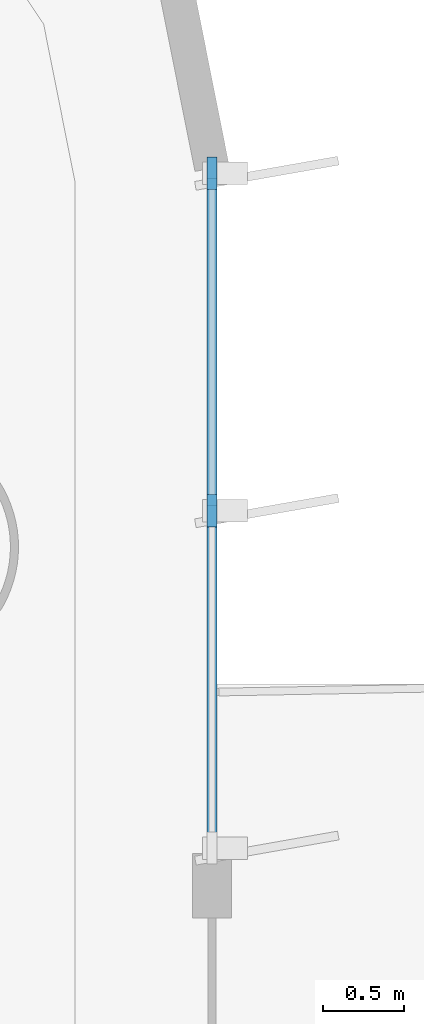
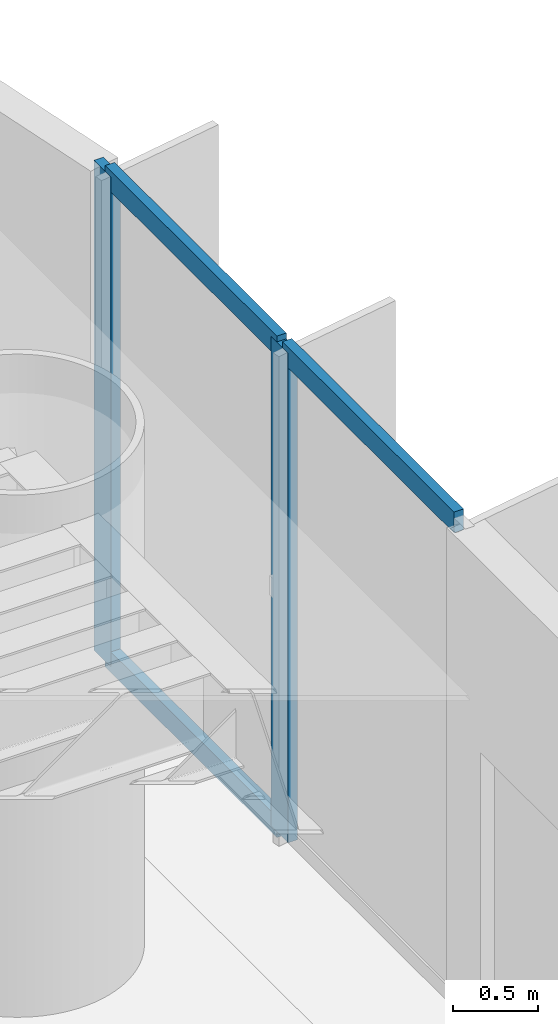
# One storey, part 6 of 17: 5 members, 1 element without a shape of its own.
"""IFC4 building model written with IfcOpenShell, lengths in metres."""

import ifcopenshell
import ifcopenshell.guid

model = None  # the IFC model being written
_history = None  # IfcOwnerHistory: only IFC2X3 demands one
_inside = {}  # id of a spatial element -> (the spatial element, [elements in it])
_under = {}  # id of a project, library or spatial element -> (it, [spatial elements below it])
_declared = {}  # id of a project -> (the project, [libraries it declares])
_typed = {}  # id of a type object -> (the type object, [elements of that type])
_made_of = {}  # id of a material, layer set ... -> (it, [elements and type objects made of it])


def new_model(schema):
    """Start an empty IFC model of exactly this schema.

    Asked for "IFC4X3", IfcOpenShell would pick the latest addendum, in which some entities
    have other attributes; the version numbers below select the first issue.
    IFC2X3 requires an IfcOwnerHistory on every rooted entity: one is made here for all.
    """
    global model, _history
    if schema == "IFC4X3":
        model = ifcopenshell.file(schema_version=(4, 3, 0, 0))
    else:
        model = ifcopenshell.file(schema=schema)
    _inside.clear()
    _under.clear()
    _declared.clear()
    _typed.clear()
    _made_of.clear()
    _history = None
    if model.schema == "IFC2X3":
        org = make("IfcOrganization", Name="unknown")
        user = make(
            "IfcPersonAndOrganization",
            ThePerson=make("IfcPerson", FamilyName="unknown"),
            TheOrganization=org,
        )
        app = make(
            "IfcApplication",
            ApplicationDeveloper=org,
            Version="unknown",
            ApplicationFullName="unknown",
            ApplicationIdentifier="unknown",
        )
        _history = make(
            "IfcOwnerHistory",
            OwningUser=user,
            OwningApplication=app,
            ChangeAction="ADDED",
            CreationDate=0,
        )
    return model


def make(cls, **values):
    """One entity of the class cls with the attributes given. An attribute that is None is left unset."""
    return model.create_entity(
        cls, **{name: value for name, value in values.items() if value is not None}
    )


def rooted(cls, **values):
    """An entity with a GlobalId (a new one), such as an element, a storey or a relation."""
    return make(cls, GlobalId=ifcopenshell.guid.new(), OwnerHistory=_history, **values)


def si_unit(unit_type, name, prefix=None):
    """IfcSIUnit, for example si_unit("LENGTHUNIT", "METRE", prefix="MILLI")."""
    return make("IfcSIUnit", UnitType=unit_type, Prefix=prefix, Name=name)


def assignment(units):
    """IfcUnitAssignment: the units of a project."""
    return None if units is None else make("IfcUnitAssignment", Units=units)


def point(xyz):
    """IfcCartesianPoint."""
    return None if xyz is None else make("IfcCartesianPoint", Coordinates=xyz)


def direction(xyz):
    """IfcDirection."""
    return None if xyz is None else make("IfcDirection", DirectionRatios=xyz)


def frame(location, z_axis=None, x_axis=None):
    """IfcAxis2Placement3D, a coordinate frame: its origin and axes. An axis left out is left unset."""
    return make(
        "IfcAxis2Placement3D",
        Location=point(location),
        Axis=direction(z_axis),
        RefDirection=direction(x_axis),
    )


def frame_2d(location, x_axis=None):
    """IfcAxis2Placement2D, a coordinate frame in the plane: its origin and x axis."""
    return make(
        "IfcAxis2Placement2D", Location=point(location), RefDirection=direction(x_axis)
    )


def origin():
    """The frame at (0, 0, 0) with its axes left unset."""
    return frame((0.0, 0.0, 0.0))


def origin_2d():
    """The frame at (0, 0) in the plane with its x axis left unset."""
    return frame_2d((0.0, 0.0))


def place(relative_to, where):
    """IfcLocalPlacement: puts the frame where relative to a parent placement (None: the world)."""
    return make(
        "IfcLocalPlacement", PlacementRelTo=relative_to, RelativePlacement=where
    )


def context(
    kind, dimensions, precision=None, world=None, true_north=None, identifier=None
):
    """IfcGeometricRepresentationContext, for example the 3D "Model" context."""
    return make(
        "IfcGeometricRepresentationContext",
        ContextIdentifier=identifier,
        ContextType=kind,
        CoordinateSpaceDimension=dimensions,
        Precision=precision,
        WorldCoordinateSystem=world,
        TrueNorth=true_north,
    )


def subcontext(parent, identifier, kind, view, scale=None):
    """IfcGeometricRepresentationSubContext, for example "Body" below "Model"."""
    return make(
        "IfcGeometricRepresentationSubContext",
        ContextIdentifier=identifier,
        ContextType=kind,
        ParentContext=parent,
        TargetScale=scale,
        TargetView=view,
    )


def project(units=None, contexts=None):
    """IfcProject with its units and contexts."""
    return rooted(
        "IfcProject",
        Name="project",
        RepresentationContexts=contexts,
        UnitsInContext=assignment(units),
    )


def spatial(cls, under=None, at=None, **own):
    """A site, building, storey or space (cls), placed at a placement, below another one or the project."""
    s = rooted(cls, ObjectPlacement=at, **own)
    if under is not None:
        _under.setdefault(under.id(), (under, []))[1].append(s)
    return s


def profile(cls, at=None, kind="AREA", **sizes):
    """A parametric profile (cls). Its sizes go by their IFC names, for example OverallWidth=200.0."""
    return make(cls, ProfileType=kind, Position=at, **sizes)


def rectangle(**sizes):
    """IfcRectangleProfileDef."""
    return profile("IfcRectangleProfileDef", **sizes)


def extrude(swept, where, along, depth):
    """IfcExtrudedAreaSolid: the profile swept, set in the frame where, extruded along a direction by depth."""
    return make(
        "IfcExtrudedAreaSolid",
        SweptArea=swept,
        Position=where,
        ExtrudedDirection=direction(along),
        Depth=depth,
    )


def shape(context_of_items, identifier, shape_type, items):
    """IfcShapeRepresentation: the items that make up one representation, for example the "Body"."""
    return make(
        "IfcShapeRepresentation",
        ContextOfItems=context_of_items,
        RepresentationIdentifier=identifier,
        RepresentationType=shape_type,
        Items=items,
    )


def source(mapping_origin, context_of_items, identifier, shape_type, items):
    """IfcRepresentationMap: a shape defined once, which mapped items show again and again."""
    return make(
        "IfcRepresentationMap",
        MappingOrigin=mapping_origin,
        MappedRepresentation=shape(context_of_items, identifier, shape_type, items),
    )


def transform(
    local_origin,
    x_axis=None,
    y_axis=None,
    z_axis=None,
    scale=None,
    scale2=None,
    scale3=None,
    uniform=True,
):
    """IfcCartesianTransformationOperator3D, or its non-uniform kind. x_axis, y_axis, z_axis: its Axis1, 2, 3."""
    if uniform:
        return make(
            "IfcCartesianTransformationOperator3D",
            Axis1=direction(x_axis),
            Axis2=direction(y_axis),
            LocalOrigin=point(local_origin),
            Scale=scale,
            Axis3=direction(z_axis),
        )
    return make(
        "IfcCartesianTransformationOperator3DnonUniform",
        Axis1=direction(x_axis),
        Axis2=direction(y_axis),
        LocalOrigin=point(local_origin),
        Scale=scale,
        Axis3=direction(z_axis),
        Scale2=scale2,
        Scale3=scale3,
    )


def mapped(mapping_source, mapping_target):
    """IfcMappedItem: shows the shape of a source again, moved by a transform."""
    return make(
        "IfcMappedItem", MappingSource=mapping_source, MappingTarget=mapping_target
    )


def material(Name=None, Category=None):
    """IfcMaterial."""
    return make("IfcMaterial", Name=Name, Category=Category)


def layer(
    of_material, thickness, ventilated=None, Name=None, Category=None, Priority=None
):
    """IfcMaterialLayer: one layer of a wall or slab, of a material (None: an air gap)."""
    return make(
        "IfcMaterialLayer",
        Material=of_material,
        LayerThickness=thickness,
        IsVentilated=ventilated,
        Name=Name,
        Category=Category,
        Priority=Priority,
    )


def layer_set(layers, Name=None):
    """IfcMaterialLayerSet."""
    return make("IfcMaterialLayerSet", MaterialLayers=layers, LayerSetName=Name)


def material_profile(
    of_material, cross_section, Name=None, Category=None, Priority=None
):
    """IfcMaterialProfile: a cross section and its material."""
    return make(
        "IfcMaterialProfile",
        Name=Name,
        Material=of_material,
        Profile=cross_section,
        Priority=Priority,
        Category=Category,
    )


def profile_set(profiles, Name=None, composite=None):
    """IfcMaterialProfileSet."""
    return make(
        "IfcMaterialProfileSet",
        Name=Name,
        MaterialProfiles=profiles,
        CompositeProfile=composite,
    )


def made_of(thing, what):
    """Note that an element or type object is made of a material, layer set ...; save() writes the relation."""
    if what is not None:
        _made_of.setdefault(what.id(), (what, []))[1].append(thing)
    return thing


def type_object(cls, material=None, **own):
    """A type object (cls), such as IfcWallType, which elements share."""
    return made_of(rooted(cls, **own), material)


def element(
    cls,
    number,
    at=None,
    inside=None,
    cuts=None,
    type_object=None,
    material=None,
    context=None,
    identifier="Body",
    shape_type=None,
    held_by="IfcProductDefinitionShape",
    body=None,
    shapes=None,
    **own,
):
    """One element of the class cls, such as IfcWall. Its Tag is "e" and its number.

    at: its placement. inside: the storey or other place that contains it. cuts: it is an
    opening in that element (IfcRelVoidsElement). A single representation is given by context,
    identifier, shape_type and body (its items); several are given by shapes. held_by: the class
    of the entity that holds the representations. save() writes the other relations.
    """
    e = rooted(cls, Tag="e%d" % number, ObjectPlacement=at, **own)
    if body is not None:
        shapes = [shape(context, identifier, shape_type, body)]
    if shapes is not None:
        e.Representation = make(held_by, Representations=shapes)
    if inside is not None:
        _inside.setdefault(inside.id(), (inside, []))[1].append(e)
    if cuts is not None:
        rooted(
            "IfcRelVoidsElement", RelatingBuildingElement=cuts, RelatedOpeningElement=e
        )
    if type_object is not None:
        _typed.setdefault(type_object.id(), (type_object, []))[1].append(e)
    return made_of(e, material)


def aggregate(whole, parts):
    """IfcRelAggregates: a whole, such as a stair, and the parts it consists of."""
    return rooted("IfcRelAggregates", RelatingObject=whole, RelatedObjects=parts)


def save(model, path):
    """Write the relations noted so far, then the file.

    IfcRelAggregates (storeys below a building ...), IfcRelContainedInSpatialStructure (elements
    in a storey), IfcRelDefinesByType, IfcRelAssociatesMaterial and IfcRelDeclares: one each for
    every whole, place, type object, material and project.
    """
    for whole, parts in _under.values():
        aggregate(whole, parts)
    for where, things in _inside.values():
        rooted(
            "IfcRelContainedInSpatialStructure",
            RelatedElements=things,
            RelatingStructure=where,
        )
    for kind, things in _typed.values():
        rooted("IfcRelDefinesByType", RelatedObjects=things, RelatingType=kind)
    for what, things in _made_of.values():
        rooted("IfcRelAssociatesMaterial", RelatedObjects=things, RelatingMaterial=what)
    for by, libraries in _declared.values():
        rooted("IfcRelDeclares", RelatingContext=by, RelatedDefinitions=libraries)
    model.write(path)


model = new_model("IFC4")

# Units and contexts
model_context = context("Model", 3, precision=1e-05, world=origin(), true_north=direction((0.0, 1.0)))
body_context = subcontext(model_context, "Body", "Model", "MODEL_VIEW")
ifc_project = project(units=[si_unit("LENGTHUNIT", "METRE"), si_unit("AREAUNIT", "SQUARE_METRE"), si_unit("VOLUMEUNIT", "CUBIC_METRE"), si_unit("PLANEANGLEUNIT", "RADIAN"), si_unit("MASSUNIT", "GRAM", prefix="KILO")], contexts=[model_context])

# Site, building, storey
site_placement = place(None, origin())
site = spatial("IfcSite", under=ifc_project, at=site_placement, CompositionType="ELEMENT")
building_placement = place(site_placement, origin())
building = spatial("IfcBuilding", under=site, at=building_placement, Name="Brelvock Crest Care Tower", CompositionType="ELEMENT")
storey_placement = place(building_placement, frame((0.0, 0.0, 49.679931640625)))
storey = spatial("IfcBuildingStorey", under=building, at=storey_placement, Name="L12", CompositionType="ELEMENT", Elevation=49.679931640625)

# Curtain wall, members
ifc_material_1 = material(Name="Dark Glass Double Glazed Low-E", Category="glass")
ifc_layer = layer(ifc_material_1, 0.195068359375, Name="CWS-2")
ifc_layer_set = layer_set([ifc_layer], Name="Dark Glass Double Glazed Low-E")
curtain_wall_type = type_object("IfcCurtainWallType", Name="CWS-2", PredefinedType="NOTDEFINED", material=ifc_layer_set)
curtain_wall_placement = place(storey_placement, origin())
curtain_wall = element("IfcCurtainWall", 1, at=curtain_wall_placement, inside=storey, type_object=curtain_wall_type, Name="L12 Curtain Wall E03A", PredefinedType="NOTDEFINED")
ifc_material_2 = material(Name="Aluminium 6063-T6", Category="aluminium")
ifc_material_profile_1 = material_profile(ifc_material_2, rectangle(XDim=0.06494140625, YDim=0.199951171875, at=origin_2d()), Name="ALU65x200")
ifc_profile_set_1 = profile_set([ifc_material_profile_1], Name="Aluminium 6063-T6")
member_type_1 = type_object("IfcMemberType", Name="CWM-1", PredefinedType="MULLION", material=ifc_profile_set_1)
shared_shape_1 = source(origin(), body_context, "Body", "SweptSolid", [
    extrude(rectangle(XDim=0.06494140625, YDim=0.199951171875, at=origin_2d()), origin(), (0.0, 0.0, 1.0), 3.530029296875),
])
member_1_placement = place(storey_placement, frame((60.0, 32.767578125, 0.0), z_axis=(0.0, 0.0, 1.0), x_axis=(1.0, 0.0, 0.0)))
member_1 = element("IfcMember", 2, at=member_1_placement, type_object=member_type_1, Name="CW-2 mullion 1", PredefinedType="MULLION", context=body_context, shape_type="MappedRepresentation", body=[
    mapped(shared_shape_1, transform((0.0, 0.0, 0.0), x_axis=(1.0, 0.0, 0.0), y_axis=(0.0, 1.0, 0.0), z_axis=(0.0, 0.0, 1.0), scale=1.0)),
])
member_2_placement = place(storey_placement, frame((60.0, 30.675048828125, 0.0), z_axis=(0.0, 0.0, 1.0), x_axis=(1.0, 0.0, 0.0)))
member_2 = element("IfcMember", 3, at=member_2_placement, type_object=member_type_1, Name="CW-2 mullion 2", PredefinedType="MULLION", context=body_context, shape_type="MappedRepresentation", body=[
    mapped(shared_shape_1, transform((0.0, 0.0, 0.0), x_axis=(1.0, 0.0, 0.0), y_axis=(0.0, 1.0, 0.0), z_axis=(0.0, 0.0, 1.0), scale=1.0)),
])
ifc_material_profile_2 = material_profile(ifc_material_2, rectangle(XDim=0.06494140625, YDim=0.14990234375, at=origin_2d()), Name="ALU65x150")
ifc_profile_set_2 = profile_set([ifc_material_profile_2], Name="Aluminium 6063-T6")
member_type_2 = type_object("IfcMemberType", Name="CWT-1", PredefinedType="USERDEFINED", material=ifc_profile_set_2)
shared_shape_2 = source(origin(), body_context, "Body", "SweptSolid", [
    extrude(rectangle(XDim=0.06494140625, YDim=0.14990234375, at=origin_2d()), origin(), (0.0, 0.0, 1.0), 2.027587890625),
])
member_3_placement = place(storey_placement, frame((60.0, 32.735107421875, 0.032470703125), z_axis=(0.0, -1.0, 0.0), x_axis=(1.0, 0.0, 0.0)))
member_3 = element("IfcMember", 4, at=member_3_placement, type_object=member_type_2, Name="CW-2 transom 1.1", ObjectType="TRANSOM", PredefinedType="USERDEFINED", context=body_context, shape_type="MappedRepresentation", body=[
    mapped(shared_shape_2, transform((0.0, 0.0, 0.0), x_axis=(1.0, 0.0, 0.0), y_axis=(0.0, 1.0, 0.0), z_axis=(0.0, 0.0, 1.0), scale=1.0)),
])
member_4_placement = place(storey_placement, frame((60.0, 32.735107421875, 3.49755859375), z_axis=(0.0, -1.0, 0.0), x_axis=(1.0, 0.0, 0.0)))
member_4 = element("IfcMember", 5, at=member_4_placement, type_object=member_type_2, Name="CW-2 transom 1.2", ObjectType="TRANSOM", PredefinedType="USERDEFINED", context=body_context, shape_type="MappedRepresentation", body=[
    mapped(shared_shape_2, transform((0.0, 0.0, 0.0), x_axis=(1.0, 0.0, 0.0), y_axis=(0.0, 1.0, 0.0), z_axis=(0.0, 0.0, 1.0), scale=1.0)),
])
member_5_placement = place(storey_placement, frame((60.0, 30.642578125, 3.49755859375), z_axis=(0.0, -1.0, 0.0), x_axis=(1.0, 0.0, 0.0)))
member_5 = element("IfcMember", 6, at=member_5_placement, type_object=member_type_2, Name="CW-2 transom 2.2", ObjectType="TRANSOM", PredefinedType="USERDEFINED", context=body_context, shape_type="MappedRepresentation", body=[
    mapped(shared_shape_2, transform((0.0, 0.0, 0.0), x_axis=(1.0, 0.0, 0.0), y_axis=(0.0, 1.0, 0.0), z_axis=(0.0, 0.0, 1.0), scale=1.0)),
])
aggregate(curtain_wall, [member_1, member_2, member_3, member_4, member_5])

save(model, "model.ifc")
